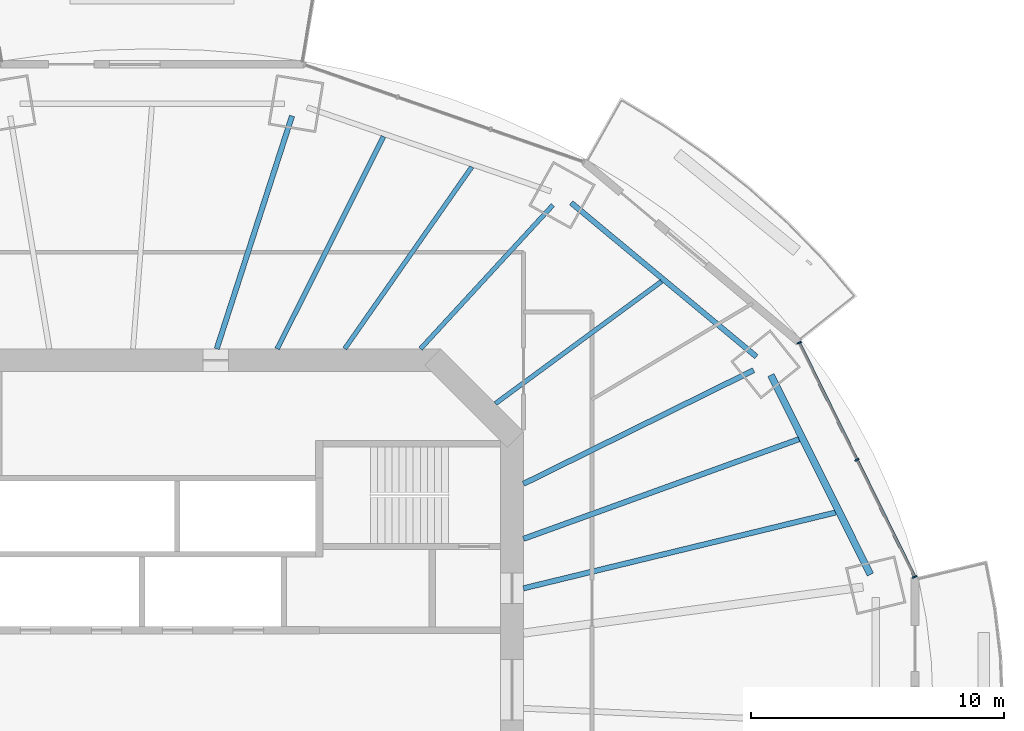
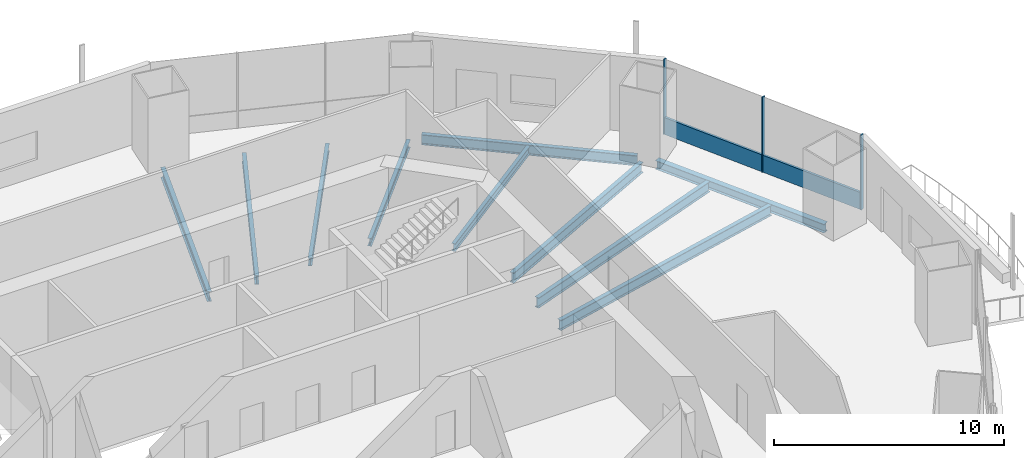
# One storey, part 7 of 19: 10 beams, 4 members, 1 element without a shape of its own.
"""IFC4 building model written with IfcOpenShell, lengths in metres."""

from ifc_helpers import new_model, si_unit, direction, frame, origin, origin_2d, place, context, subcontext, project, spatial, rectangle, i_section, extrude, material, material_profile, profile_set, type_object, element, aggregate, save


model = new_model("IFC4")

# Units and contexts
model_context = context("Model", 3, precision=1e-05, world=origin(), true_north=direction((0.0, 1.0)))
body_context = subcontext(model_context, "Body", "Model", "MODEL_VIEW")
ifc_project = project(units=[si_unit("LENGTHUNIT", "METRE"), si_unit("AREAUNIT", "SQUARE_METRE"), si_unit("VOLUMEUNIT", "CUBIC_METRE"), si_unit("PLANEANGLEUNIT", "RADIAN"), si_unit("MASSUNIT", "GRAM", prefix="KILO")], contexts=[model_context])

# Site, building, storey
site_placement = place(None, origin())
site = spatial("IfcSite", under=ifc_project, at=site_placement, CompositionType="ELEMENT")
building_placement = place(site_placement, origin())
building = spatial("IfcBuilding", under=site, at=building_placement, Name="Marenthal Gate Tower", CompositionType="ELEMENT")
storey_placement = place(building_placement, frame((0.0, 0.0, 223.300048828125)))
storey = spatial("IfcBuildingStorey", under=building, at=storey_placement, Name="L49", CompositionType="ELEMENT", Elevation=223.300048828125)

# Curtain wall, members
ifc_material_1 = material(Name="Aluminium and glass", Category="aluminium")
curtain_wall_type = type_object("IfcCurtainWallType", Name="Curtain wall typical mid", PredefinedType="NOTDEFINED", material=ifc_material_1)
curtain_wall_placement = place(storey_placement, origin())
curtain_wall = element("IfcCurtainWall", 1, at=curtain_wall_placement, inside=storey, type_object=curtain_wall_type, Name="Curtain wall L49 bay 1", PredefinedType="NOTDEFINED")
ifc_material_2 = material(Name="Aluminium", Category="aluminium")
ifc_material_profile_1 = material_profile(ifc_material_2, rectangle(XDim=0.179931640625, YDim=0.06005859375, at=origin_2d()), Name="60x180 aluminium mullion")
ifc_profile_set_1 = profile_set([ifc_material_profile_1], Name="Aluminium")
member_type_1 = type_object("IfcMemberType", Name="Mullion 60x180 typical mid", PredefinedType="MULLION", material=ifc_profile_set_1)
member_1_placement = place(storey_placement, frame((31.885009765625, 4.453369140625, 0.0), z_axis=(0.0, 0.0, 1.0), x_axis=(-0.896797507361, -0.442441217329, 0.0)))
member_1 = element("IfcMember", 2, at=member_1_placement, type_object=member_type_1, Name="Mullion L49 bay 1.1", PredefinedType="MULLION", context=body_context, shape_type="SweptSolid", body=[
    extrude(rectangle(XDim=0.179931640625, YDim=0.06005859375, at=origin_2d()), origin(), (0.0, 0.0, 1.0), 3.969970703125),
])
member_2_placement = place(storey_placement, frame((29.607177734375, 9.0703125, 0.0), z_axis=(0.0, 0.0, 1.0), x_axis=(-0.896797507361, -0.442441217329, 0.0)))
member_2 = element("IfcMember", 3, at=member_2_placement, type_object=member_type_1, Name="Mullion L49 bay 1.2", PredefinedType="MULLION", context=body_context, shape_type="SweptSolid", body=[
    extrude(rectangle(XDim=0.179931640625, YDim=0.06005859375, at=origin_2d()), origin(), (0.0, 0.0, 1.0), 3.969970703125),
])
member_3_placement = place(storey_placement, frame((27.329345703125, 13.687255859375, 0.0), z_axis=(0.0, 0.0, 1.0), x_axis=(-0.896797507361, -0.442441217329, 0.0)))
member_3 = element("IfcMember", 4, at=member_3_placement, type_object=member_type_1, Name="Mullion L49 bay 1.3", PredefinedType="MULLION", context=body_context, shape_type="SweptSolid", body=[
    extrude(rectangle(XDim=0.179931640625, YDim=0.06005859375, at=origin_2d()), origin(), (0.0, 0.0, 1.0), 3.969970703125),
])
ifc_material_3 = material(Name="Aluminium", Category="aluminium")
ifc_material_profile_2 = material_profile(ifc_material_3, rectangle(XDim=0.1201171875, YDim=0.89990234375, at=origin_2d()), Name="120x900 aluminium transom")
ifc_profile_set_2 = profile_set([ifc_material_profile_2], Name="Aluminium")
member_type_2 = type_object("IfcMemberType", Name="Transom 120x900 typical mid", PredefinedType="USERDEFINED", material=ifc_profile_set_2)
member_4_placement = place(storey_placement, frame((31.871826171875, 4.480224609375, 0.449951171875), z_axis=(-0.442437279824, 0.896799449945, 0.0), x_axis=(-0.896799449945, -0.442437279824, 0.0)))
member_4 = element("IfcMember", 5, at=member_4_placement, type_object=member_type_2, Name="Transom L49 bay 1", ObjectType="TRANSOM", PredefinedType="USERDEFINED", context=body_context, shape_type="SweptSolid", body=[
    extrude(rectangle(XDim=0.1201171875, YDim=0.89990234375, at=origin_2d()), origin(), (0.0, 0.0, 1.0), 10.236572265625),
])
aggregate(curtain_wall, [member_1, member_2, member_3, member_4])

# Beams
ifc_material_4 = material(Name="Steel S355", Category="steel")
ifc_material_profile_3 = material_profile(ifc_material_4, i_section(OverallWidth=0.180908203125, OverallDepth=0.4169921875, WebThickness=0.010986328125, FlangeThickness=0.018310546875, FilletRadius=0.01025390625, at=origin_2d()), Name="W410X85")
ifc_profile_set_3 = profile_set([ifc_material_profile_3], Name="Steel S355")
beam_type_1 = type_object("IfcBeamType", Name="W410X85 beam", PredefinedType="BEAM", material=ifc_profile_set_3)
beam_1_placement = place(storey_placement, frame((17.61328125, 19.1201171875, -0.388427734375), z_axis=(-0.677536620466, -0.735489039978, 0.0), x_axis=(0.735489039978, -0.677536620466, 0.0)))
element("IfcBeam", 6, at=beam_1_placement, inside=storey, type_object=beam_type_1, Name="BM-L49-03", PredefinedType="BEAM", context=body_context, shape_type="SweptSolid", body=[
    extrude(i_section(OverallWidth=0.180908203125, OverallDepth=0.4169921875, WebThickness=0.010986328125, FlangeThickness=0.018310546875, FilletRadius=0.01025390625, at=origin_2d()), origin(), (0.0, 0.0, 1.0), 7.70947265625),
])
beam_2_placement = place(storey_placement, frame((21.89892578125, 16.108154296875, -0.388427734375), z_axis=(-0.805545235742, -0.592534280168, 0.0), x_axis=(0.592534280168, -0.805545235742, 0.0)))
element("IfcBeam", 7, at=beam_2_placement, inside=storey, type_object=beam_type_1, Name="BM-L49-19", PredefinedType="BEAM", context=body_context, shape_type="SweptSolid", body=[
    extrude(i_section(OverallWidth=0.180908203125, OverallDepth=0.4169921875, WebThickness=0.010986328125, FlangeThickness=0.018310546875, FilletRadius=0.01025390625, at=origin_2d()), origin(), (0.0, 0.0, 1.0), 8.133056640625),
])
beam_3_placement = place(storey_placement, frame((14.410888671875, 20.62255859375, -0.388427734375), z_axis=(-0.572801154785, -0.81969435589, 0.0), x_axis=(0.81969435589, -0.572801154785, 0.0)))
element("IfcBeam", 8, at=beam_3_placement, inside=storey, type_object=beam_type_1, Name="BM-L49-20", PredefinedType="BEAM", context=body_context, shape_type="SweptSolid", body=[
    extrude(i_section(OverallWidth=0.180908203125, OverallDepth=0.4169921875, WebThickness=0.010986328125, FlangeThickness=0.018310546875, FilletRadius=0.01025390625, at=origin_2d()), origin(), (0.0, 0.0, 1.0), 8.750244140625),
])
ifc_material_5 = material(Name="Steel S355", Category="steel")
ifc_material_profile_4 = material_profile(ifc_material_5, i_section(OverallWidth=0.279052734375, OverallDepth=0.4619140625, WebThickness=0.0107421875, FlangeThickness=0.017333984375, FilletRadius=0.010009765625, at=origin_2d()), Name="W460X113")
ifc_profile_set_4 = profile_set([ifc_material_profile_4], Name="Steel S355")
beam_type_2 = type_object("IfcBeamType", Name="W460X113 beam", PredefinedType="BEAM", material=ifc_profile_set_4)
beam_4_placement = place(storey_placement, frame((30.13671875, 4.54345703125, -0.4111328125), z_axis=(-0.446158339693, 0.894954041235, 0.0), x_axis=(-0.894954041235, -0.446158339693, 0.0)))
element("IfcBeam", 9, at=beam_4_placement, inside=storey, type_object=beam_type_2, Name="BM-L49-41", PredefinedType="BEAM", context=body_context, shape_type="SweptSolid", body=[
    extrude(i_section(OverallWidth=0.279052734375, OverallDepth=0.4619140625, WebThickness=0.0107421875, FlangeThickness=0.017333984375, FilletRadius=0.010009765625, at=origin_2d()), origin(), (0.0, 0.0, 1.0), 8.794189453125),
])
ifc_material_6 = material(Name="Steel S355", Category="steel")
ifc_material_profile_5 = material_profile(ifc_material_6, i_section(OverallWidth=0.193115234375, OverallDepth=0.467041015625, WebThickness=0.011474609375, FlangeThickness=0.01904296875, FilletRadius=0.010009765625, at=origin_2d()), Name="W460X97")
ifc_profile_set_5 = profile_set([ifc_material_profile_5], Name="Steel S355")
beam_type_3 = type_object("IfcBeamType", Name="W460X97 beam", PredefinedType="BEAM", material=ifc_profile_set_5)
beam_5_placement = place(storey_placement, frame((10.928466796875, 21.82080078125, -0.41357421875), z_axis=(-0.447808070647, -0.894129706398, 0.0), x_axis=(0.894129706398, -0.447808070647, 0.0)))
element("IfcBeam", 10, at=beam_5_placement, inside=storey, type_object=beam_type_3, Name="BM-L49-21", PredefinedType="BEAM", context=body_context, shape_type="SweptSolid", body=[
    extrude(i_section(OverallWidth=0.193115234375, OverallDepth=0.467041015625, WebThickness=0.011474609375, FlangeThickness=0.01904296875, FilletRadius=0.010009765625, at=origin_2d()), origin(), (0.0, 0.0, 1.0), 9.362060546875),
])
ifc_material_7 = material(Name="Steel S355", Category="steel")
ifc_material_profile_6 = material_profile(ifc_material_7, i_section(OverallWidth=0.2099609375, OverallDepth=0.535888671875, WebThickness=0.010986328125, FlangeThickness=0.017333984375, FilletRadius=0.0126953125, at=origin_2d()), Name="W530X101")
ifc_profile_set_6 = profile_set([ifc_material_profile_6], Name="Steel S355")
beam_type_4 = type_object("IfcBeamType", Name="W530X101 beam", PredefinedType="BEAM", material=ifc_profile_set_6)
beam_6_placement = place(storey_placement, frame((7.3212890625, 22.6337890625, -0.447998046875), z_axis=(-0.30776977746, -0.951460857882, 0.0), x_axis=(0.951460857882, -0.30776977746, 0.0)))
element("IfcBeam", 11, at=beam_6_placement, inside=storey, type_object=beam_type_4, Name="BM-L49-04", PredefinedType="BEAM", context=body_context, shape_type="SweptSolid", body=[
    extrude(i_section(OverallWidth=0.2099609375, OverallDepth=0.535888671875, WebThickness=0.010986328125, FlangeThickness=0.017333984375, FilletRadius=0.0126953125, at=origin_2d()), origin(), (0.0, 0.0, 1.0), 9.65234375),
])
ifc_material_8 = material(Name="Steel S355", Category="steel")
ifc_material_profile_7 = material_profile(ifc_material_8, i_section(OverallWidth=0.2119140625, OverallDepth=0.5439453125, WebThickness=0.01318359375, FlangeThickness=0.021240234375, FilletRadius=0.0126953125, at=origin_2d()), Name="W530X123")
ifc_profile_set_7 = profile_set([ifc_material_profile_7], Name="Steel S355")
beam_type_5 = type_object("IfcBeamType", Name="W530X123 beam", PredefinedType="BEAM", material=ifc_profile_set_7)
beam_7_placement = place(storey_placement, frame((25.531982421875, 12.604248046875, -0.4521484375), z_axis=(-0.896691087208, -0.442656858212, 0.0), x_axis=(0.442656858212, -0.896691087208, 0.0)))
element("IfcBeam", 12, at=beam_7_placement, inside=storey, type_object=beam_type_5, Name="BM-L49-02", PredefinedType="BEAM", context=body_context, shape_type="SweptSolid", body=[
    extrude(i_section(OverallWidth=0.2119140625, OverallDepth=0.5439453125, WebThickness=0.01318359375, FlangeThickness=0.021240234375, FilletRadius=0.0126953125, at=origin_2d()), origin(), (0.0, 0.0, 1.0), 10.12841796875),
])
beam_8_placement = place(storey_placement, frame((28.760986328125, 6.990478515625, -0.4521484375), z_axis=(-0.971710884637, -0.236173573199, 0.0), x_axis=(0.236173573199, -0.971710884637, 0.0)))
element("IfcBeam", 13, at=beam_8_placement, inside=storey, type_object=beam_type_5, Name="BM-L49-17", PredefinedType="BEAM", context=body_context, shape_type="SweptSolid", body=[
    extrude(i_section(OverallWidth=0.2119140625, OverallDepth=0.5439453125, WebThickness=0.01318359375, FlangeThickness=0.021240234375, FilletRadius=0.0126953125, at=origin_2d()), origin(), (0.0, 0.0, 1.0), 12.66943359375),
])
beam_9_placement = place(storey_placement, frame((27.319091796875, 9.8828125, -0.4521484375), z_axis=(-0.94035581223, -0.340192513742, 0.0), x_axis=(0.340192513742, -0.94035581223, 0.0)))
element("IfcBeam", 14, at=beam_9_placement, inside=storey, type_object=beam_type_5, Name="BM-L49-18", PredefinedType="BEAM", context=body_context, shape_type="SweptSolid", body=[
    extrude(i_section(OverallWidth=0.2119140625, OverallDepth=0.5439453125, WebThickness=0.01318359375, FlangeThickness=0.021240234375, FilletRadius=0.0126953125, at=origin_2d()), origin(), (0.0, 0.0, 1.0), 11.55859375),
])
beam_10_placement = place(storey_placement, frame((25.641357421875, 13.136474609375, -0.4521484375), z_axis=(-0.769157352218, 0.639059439746, 0.0), x_axis=(-0.639059439746, -0.769157352218, 0.0)))
element("IfcBeam", 15, at=beam_10_placement, inside=storey, type_object=beam_type_5, Name="BM-L49-42", PredefinedType="BEAM", context=body_context, shape_type="SweptSolid", body=[
    extrude(i_section(OverallWidth=0.2119140625, OverallDepth=0.5439453125, WebThickness=0.01318359375, FlangeThickness=0.021240234375, FilletRadius=0.0126953125, at=origin_2d()), origin(), (0.0, 0.0, 1.0), 9.5048828125),
])

save(model, "model.ifc")
